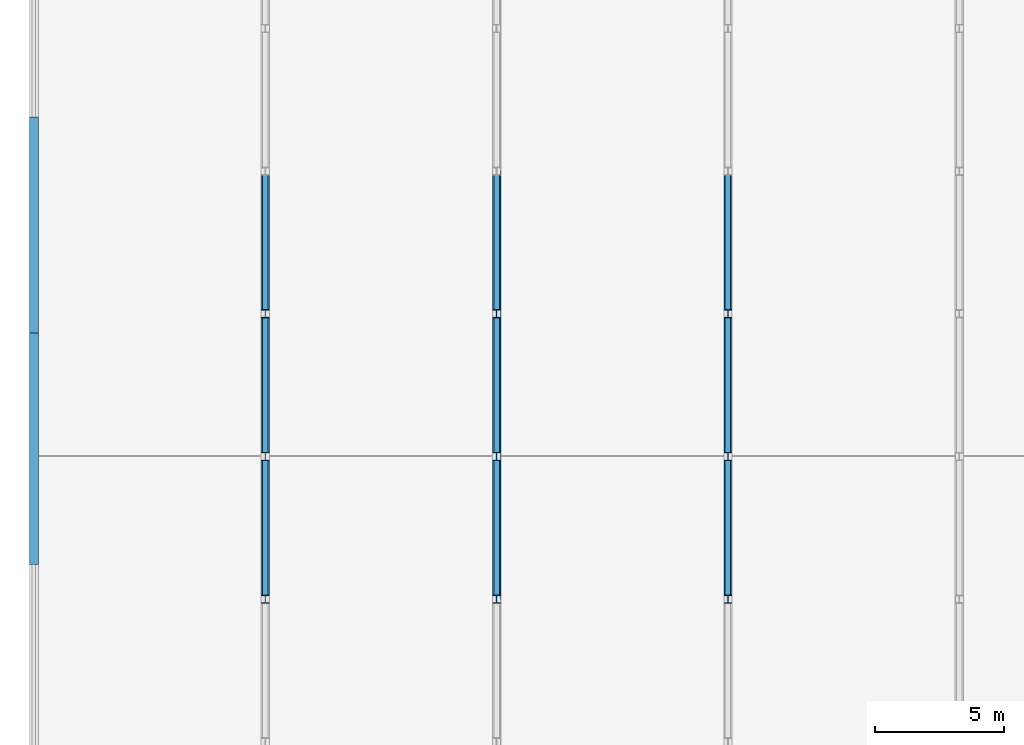
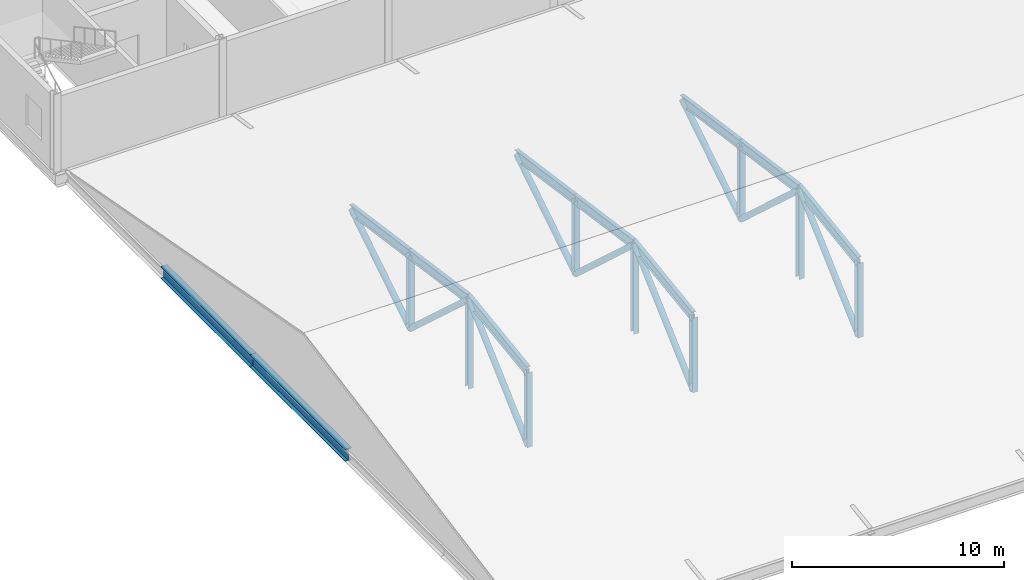
# One storey, part 7 of 103: 27 members, 2 beams.
"""IFC4 building model written with IfcOpenShell, lengths in metres."""

from ifc_helpers import new_model, si_unit, direction, frame, origin, origin_2d, place, context, subcontext, project, spatial, hollow_circle, i_section, extrude, material, material_profile, profile_set, type_object, element, save


model = new_model("IFC4")

# Units and contexts
model_context = context("Model", 3, precision=1e-05, world=origin(), true_north=direction((0.0, 1.0)))
body_context = subcontext(model_context, "Body", "Model", "MODEL_VIEW")
ifc_project = project(units=[si_unit("LENGTHUNIT", "METRE"), si_unit("AREAUNIT", "SQUARE_METRE"), si_unit("VOLUMEUNIT", "CUBIC_METRE"), si_unit("PLANEANGLEUNIT", "RADIAN"), si_unit("MASSUNIT", "GRAM", prefix="KILO")], contexts=[model_context])

# Site, building, storey
site_placement = place(None, origin())
site = spatial("IfcSite", under=ifc_project, at=site_placement, CompositionType="ELEMENT")
building_placement = place(site_placement, origin())
building = spatial("IfcBuilding", under=site, at=building_placement, Name="Cazmaro Siding Exhibition Halls", CompositionType="ELEMENT")
storey_placement = place(building_placement, frame((0.0, 0.0, 16.5)))
storey = spatial("IfcBuildingStorey", under=building, at=storey_placement, Name="L03", CompositionType="ELEMENT", Elevation=16.5)

# Beams
ifc_material_1 = material(Name="Steel ASTM A992 Grade 50", Category="steel")
ifc_material_profile_1 = material_profile(ifc_material_1, i_section(OverallWidth=0.35595703125, OverallDepth=0.696044921875, WebThickness=0.014892578125, FlangeThickness=0.02490234375, at=origin_2d()), Name="W27X146")
ifc_profile_set_1 = profile_set([ifc_material_profile_1], Name="Steel ASTM A992 Grade 50")
beam_type = type_object("IfcBeamType", Name="G-05", PredefinedType="USERDEFINED", material=ifc_profile_set_1)
beam_1_placement = place(storey_placement, frame((0.0, 44.39990234375, 0.35205078125), z_axis=(0.0, -1.0, 0.0), x_axis=(1.0, 0.0, 0.0)))
element("IfcBeam", 1, at=beam_1_placement, inside=storey, type_object=beam_type, Name="Beam G-05 BM-1765", ObjectType="GIRDER", PredefinedType="USERDEFINED", context=body_context, shape_type="SweptSolid", body=[
    extrude(i_section(OverallWidth=0.35595703125, OverallDepth=0.696044921875, WebThickness=0.014892578125, FlangeThickness=0.02490234375, at=origin_2d()), origin(), (0.0, 0.0, 1.0), 8.39990234375),
])
beam_2_placement = place(storey_placement, frame((0.0, 36.0, 0.35205078125), z_axis=(0.0, -1.0, 0.0), x_axis=(1.0, 0.0, 0.0)))
element("IfcBeam", 2, at=beam_2_placement, inside=storey, type_object=beam_type, Name="Beam G-05 BM-1767", ObjectType="GIRDER", PredefinedType="USERDEFINED", context=body_context, shape_type="SweptSolid", body=[
    extrude(i_section(OverallWidth=0.35595703125, OverallDepth=0.696044921875, WebThickness=0.014892578125, FlangeThickness=0.02490234375, at=origin_2d()), origin(), (0.0, 0.0, 1.0), 9.0),
])

# Members
ifc_material_2 = material(Name="Steel ASTM A992 Grade 50", Category="steel")
ifc_material_profile_2 = material_profile(ifc_material_2, i_section(OverallWidth=0.214111328125, OverallDepth=0.549072265625, WebThickness=0.014892578125, FlangeThickness=0.02392578125, at=origin_2d()), Name="W21X93")
ifc_profile_set_2 = profile_set([ifc_material_profile_2], Name="Steel ASTM A992 Grade 50")
member_type_1 = type_object("IfcMemberType", Name="TC-04", PredefinedType="CHORD", material=ifc_profile_set_2)
for number, where, z_axis, x_axis, name in (
    (3, (9.0, 25.64990234375, 2.840087890625), (0.0, 0.990267557209, 0.139176740654), (-1.0, 0.0, 0.0), "Congress folded roof top chord TC-04 MEM-3253"),
    (4, (9.0, 31.199951171875, 3.6201171875), (0.0, 0.990267557209, -0.139176740654), (-1.0, 0.0, 0.0), "Congress folded roof top chord TC-04 MEM-3256"),
    (5, (9.0, 36.75, 2.840087890625), (0.0, 0.990267557209, -0.139176740654), (-1.0, 0.0, 0.0), "Congress folded roof top chord TC-04 MEM-3259"),
    (6, (18.0, 25.64990234375, 2.840087890625), (0.0, 0.990267557209, 0.139176740654), (-1.0, 0.0, 0.0), "Congress folded roof top chord TC-04 MEM-3284"),
    (7, (18.0, 31.199951171875, 3.6201171875), (0.0, 0.990267557209, -0.139176740654), (-1.0, 0.0, 0.0), "Congress folded roof top chord TC-04 MEM-3287"),
    (8, (18.0, 36.75, 2.840087890625), (0.0, 0.990267557209, -0.139176740654), (-1.0, 0.0, 0.0), "Congress folded roof top chord TC-04 MEM-3290"),
    (9, (27.0, 25.64990234375, 2.840087890625), (0.0, 0.990267557209, 0.139176740654), (-1.0, 0.0, 0.0), "Congress folded roof top chord TC-04 MEM-3315"),
    (10, (27.0, 31.199951171875, 3.6201171875), (0.0, 0.990267557209, -0.139176740654), (-1.0, 0.0, 0.0), "Congress folded roof top chord TC-04 MEM-3318"),
    (11, (27.0, 36.75, 2.840087890625), (0.0, 0.990267557209, -0.139176740654), (-1.0, 0.0, 0.0), "Congress folded roof top chord TC-04 MEM-3321"),
):
    element("IfcMember", number, at=place(storey_placement, frame(where, z_axis=z_axis, x_axis=x_axis)), inside=storey, type_object=member_type_1, Name=name, PredefinedType="CHORD", context=body_context, shape_type="SweptSolid", body=[
        extrude(i_section(OverallWidth=0.214111328125, OverallDepth=0.549072265625, WebThickness=0.014892578125, FlangeThickness=0.02392578125, at=origin_2d()), origin(), (0.0, 0.0, 1.0), 5.6044921875),
    ])
ifc_material_3 = material(Name="Steel ASTM A992 Grade 50", Category="steel")
ifc_material_profile_3 = material_profile(ifc_material_3, i_section(OverallWidth=0.304931640625, OverallDepth=0.306884765625, WebThickness=0.010009765625, FlangeThickness=0.014892578125, at=origin_2d()), Name="W12X65")
ifc_profile_set_3 = profile_set([ifc_material_profile_3], Name="Steel ASTM A992 Grade 50")
member_type_2 = type_object("IfcMemberType", Name="TP-03", PredefinedType="POST", material=ifc_profile_set_3)
member_1_placement = place(storey_placement, frame((9.0, 25.64990234375, -1.449951171875), z_axis=(0.0, 0.0, 1.0), x_axis=(1.0, 0.0, 0.0)))
element("IfcMember", 12, at=member_1_placement, inside=storey, type_object=member_type_2, Name="Congress roof post TP-03 MEM-3270", PredefinedType="POST", context=body_context, shape_type="SweptSolid", body=[
    extrude(i_section(OverallWidth=0.304931640625, OverallDepth=0.306884765625, WebThickness=0.010009765625, FlangeThickness=0.014892578125, at=origin_2d()), origin(), (0.0, 0.0, 1.0), 4.2900390625),
])
member_2_placement = place(storey_placement, frame((9.0, 31.199951171875, -1.449951171875), z_axis=(0.0, 0.0, 1.0), x_axis=(1.0, 0.0, 0.0)))
element("IfcMember", 13, at=member_2_placement, inside=storey, type_object=member_type_2, Name="Congress roof post TP-03 MEM-3271", PredefinedType="POST", context=body_context, shape_type="SweptSolid", body=[
    extrude(i_section(OverallWidth=0.304931640625, OverallDepth=0.306884765625, WebThickness=0.010009765625, FlangeThickness=0.014892578125, at=origin_2d()), origin(), (0.0, 0.0, 1.0), 5.070068359375),
])
for number, where, z_axis, x_axis, name in (
    (14, (9.0, 36.75, -1.449951171875), (0.0, 0.0, 1.0), (1.0, 0.0, 0.0), "Congress roof post TP-03 MEM-3272"),
    (15, (18.0, 25.64990234375, -1.449951171875), (0.0, 0.0, 1.0), (1.0, 0.0, 0.0), "Congress roof post TP-03 MEM-3301"),
):
    element("IfcMember", number, at=place(storey_placement, frame(where, z_axis=z_axis, x_axis=x_axis)), inside=storey, type_object=member_type_2, Name=name, PredefinedType="POST", context=body_context, shape_type="SweptSolid", body=[
        extrude(i_section(OverallWidth=0.304931640625, OverallDepth=0.306884765625, WebThickness=0.010009765625, FlangeThickness=0.014892578125, at=origin_2d()), origin(), (0.0, 0.0, 1.0), 4.2900390625),
    ])
member_3_placement = place(storey_placement, frame((18.0, 31.199951171875, -1.449951171875), z_axis=(0.0, 0.0, 1.0), x_axis=(1.0, 0.0, 0.0)))
element("IfcMember", 16, at=member_3_placement, inside=storey, type_object=member_type_2, Name="Congress roof post TP-03 MEM-3302", PredefinedType="POST", context=body_context, shape_type="SweptSolid", body=[
    extrude(i_section(OverallWidth=0.304931640625, OverallDepth=0.306884765625, WebThickness=0.010009765625, FlangeThickness=0.014892578125, at=origin_2d()), origin(), (0.0, 0.0, 1.0), 5.070068359375),
])
for number, where, z_axis, x_axis, name in (
    (17, (18.0, 36.75, -1.449951171875), (0.0, 0.0, 1.0), (1.0, 0.0, 0.0), "Congress roof post TP-03 MEM-3303"),
    (18, (27.0, 25.64990234375, -1.449951171875), (0.0, 0.0, 1.0), (1.0, 0.0, 0.0), "Congress roof post TP-03 MEM-3332"),
):
    element("IfcMember", number, at=place(storey_placement, frame(where, z_axis=z_axis, x_axis=x_axis)), inside=storey, type_object=member_type_2, Name=name, PredefinedType="POST", context=body_context, shape_type="SweptSolid", body=[
        extrude(i_section(OverallWidth=0.304931640625, OverallDepth=0.306884765625, WebThickness=0.010009765625, FlangeThickness=0.014892578125, at=origin_2d()), origin(), (0.0, 0.0, 1.0), 4.2900390625),
    ])
member_4_placement = place(storey_placement, frame((27.0, 31.199951171875, -1.449951171875), z_axis=(0.0, 0.0, 1.0), x_axis=(1.0, 0.0, 0.0)))
element("IfcMember", 19, at=member_4_placement, inside=storey, type_object=member_type_2, Name="Congress roof post TP-03 MEM-3333", PredefinedType="POST", context=body_context, shape_type="SweptSolid", body=[
    extrude(i_section(OverallWidth=0.304931640625, OverallDepth=0.306884765625, WebThickness=0.010009765625, FlangeThickness=0.014892578125, at=origin_2d()), origin(), (0.0, 0.0, 1.0), 5.070068359375),
])
member_5_placement = place(storey_placement, frame((27.0, 36.75, -1.449951171875), z_axis=(0.0, 0.0, 1.0), x_axis=(1.0, 0.0, 0.0)))
element("IfcMember", 20, at=member_5_placement, inside=storey, type_object=member_type_2, Name="Congress roof post TP-03 MEM-3334", PredefinedType="POST", context=body_context, shape_type="SweptSolid", body=[
    extrude(i_section(OverallWidth=0.304931640625, OverallDepth=0.306884765625, WebThickness=0.010009765625, FlangeThickness=0.014892578125, at=origin_2d()), origin(), (0.0, 0.0, 1.0), 4.2900390625),
])
ifc_material_4 = material(Name="Steel ASTM A500 Grade C", Category="steel")
ifc_material_profile_4 = material_profile(ifc_material_4, hollow_circle(Radius=0.162109375, WallThickness=0.012939453125, at=origin_2d()), Name="PIPE12XS")
ifc_profile_set_4 = profile_set([ifc_material_profile_4], Name="Steel ASTM A500 Grade C")
member_type_3 = type_object("IfcMemberType", Name="WB-03", PredefinedType="BRACE", material=ifc_profile_set_4)
for number, where, z_axis, x_axis, name in (
    (21, (9.0, 25.64990234375, -1.449951171875), (0.0, 0.738311095171, 0.674460322589), (-1.0, 0.0, 0.0), "Congress roof diagonal WB-03 MEM-3255"),
    (22, (9.0, 31.199951171875, 3.6201171875), (0.0, 0.738311095171, -0.674460322589), (-1.0, 0.0, 0.0), "Congress roof diagonal WB-03 MEM-3258"),
):
    element("IfcMember", number, at=place(storey_placement, frame(where, z_axis=z_axis, x_axis=x_axis)), inside=storey, type_object=member_type_3, Name=name, PredefinedType="BRACE", context=body_context, shape_type="SweptSolid", body=[
        extrude(hollow_circle(Radius=0.162109375, WallThickness=0.012939453125, at=origin_2d()), origin(), (0.0, 0.0, 1.0), 7.517333984375),
    ])
member_6_placement = place(storey_placement, frame((9.0, 36.75, -1.449951171875), z_axis=(0.0, 0.845164526711, 0.53450624205), x_axis=(-1.0, 0.0, 0.0)))
element("IfcMember", 23, at=member_6_placement, inside=storey, type_object=member_type_3, Name="Congress roof diagonal WB-03 MEM-3261", PredefinedType="BRACE", context=body_context, shape_type="SweptSolid", body=[
    extrude(hollow_circle(Radius=0.162109375, WallThickness=0.012939453125, at=origin_2d()), origin(), (0.0, 0.0, 1.0), 6.56689453125),
])
for number, where, z_axis, x_axis, name in (
    (24, (18.0, 25.64990234375, -1.449951171875), (0.0, 0.738311095171, 0.674460322589), (-1.0, 0.0, 0.0), "Congress roof diagonal WB-03 MEM-3286"),
    (25, (18.0, 31.199951171875, 3.6201171875), (0.0, 0.738311095171, -0.674460322589), (-1.0, 0.0, 0.0), "Congress roof diagonal WB-03 MEM-3289"),
):
    element("IfcMember", number, at=place(storey_placement, frame(where, z_axis=z_axis, x_axis=x_axis)), inside=storey, type_object=member_type_3, Name=name, PredefinedType="BRACE", context=body_context, shape_type="SweptSolid", body=[
        extrude(hollow_circle(Radius=0.162109375, WallThickness=0.012939453125, at=origin_2d()), origin(), (0.0, 0.0, 1.0), 7.517333984375),
    ])
member_7_placement = place(storey_placement, frame((18.0, 36.75, -1.449951171875), z_axis=(0.0, 0.845164526711, 0.53450624205), x_axis=(-1.0, 0.0, 0.0)))
element("IfcMember", 26, at=member_7_placement, inside=storey, type_object=member_type_3, Name="Congress roof diagonal WB-03 MEM-3292", PredefinedType="BRACE", context=body_context, shape_type="SweptSolid", body=[
    extrude(hollow_circle(Radius=0.162109375, WallThickness=0.012939453125, at=origin_2d()), origin(), (0.0, 0.0, 1.0), 6.56689453125),
])
for number, where, z_axis, x_axis, name in (
    (27, (27.0, 25.64990234375, -1.449951171875), (0.0, 0.738311095171, 0.674460322589), (-1.0, 0.0, 0.0), "Congress roof diagonal WB-03 MEM-3317"),
    (28, (27.0, 31.199951171875, 3.6201171875), (0.0, 0.738311095171, -0.674460322589), (-1.0, 0.0, 0.0), "Congress roof diagonal WB-03 MEM-3320"),
):
    element("IfcMember", number, at=place(storey_placement, frame(where, z_axis=z_axis, x_axis=x_axis)), inside=storey, type_object=member_type_3, Name=name, PredefinedType="BRACE", context=body_context, shape_type="SweptSolid", body=[
        extrude(hollow_circle(Radius=0.162109375, WallThickness=0.012939453125, at=origin_2d()), origin(), (0.0, 0.0, 1.0), 7.517333984375),
    ])
member_8_placement = place(storey_placement, frame((27.0, 36.75, -1.449951171875), z_axis=(0.0, 0.845164526711, 0.53450624205), x_axis=(-1.0, 0.0, 0.0)))
element("IfcMember", 29, at=member_8_placement, inside=storey, type_object=member_type_3, Name="Congress roof diagonal WB-03 MEM-3323", PredefinedType="BRACE", context=body_context, shape_type="SweptSolid", body=[
    extrude(hollow_circle(Radius=0.162109375, WallThickness=0.012939453125, at=origin_2d()), origin(), (0.0, 0.0, 1.0), 6.56689453125),
])

save(model, "model.ifc")
